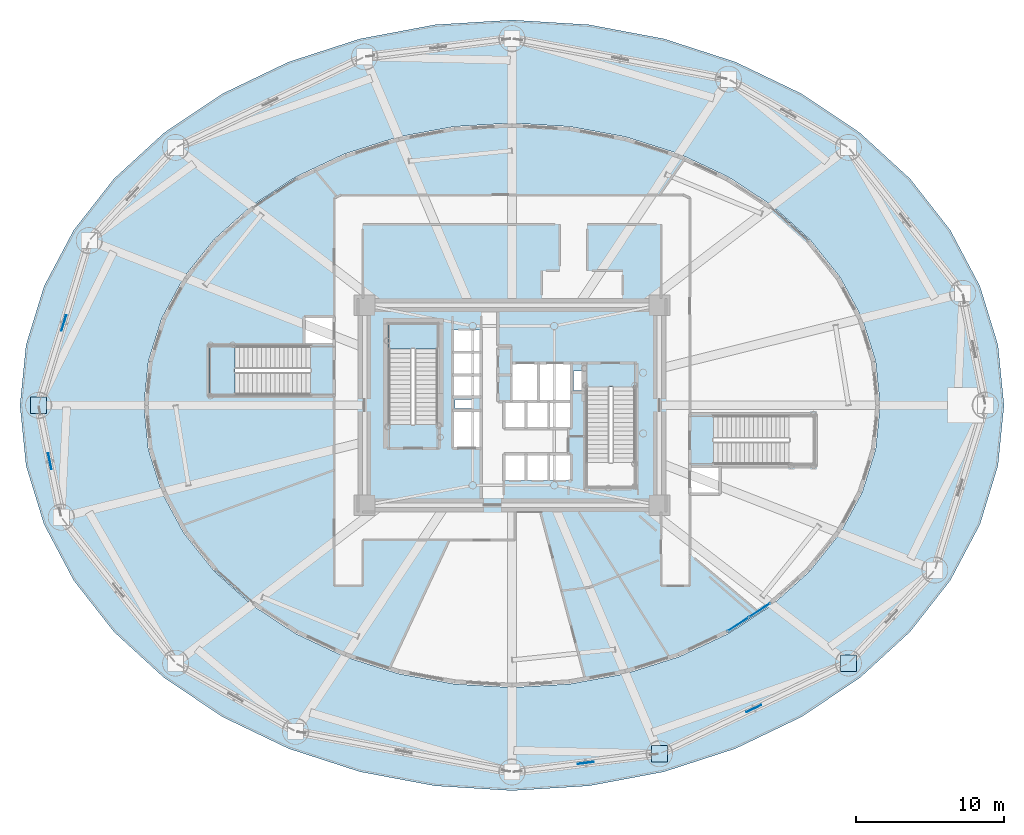
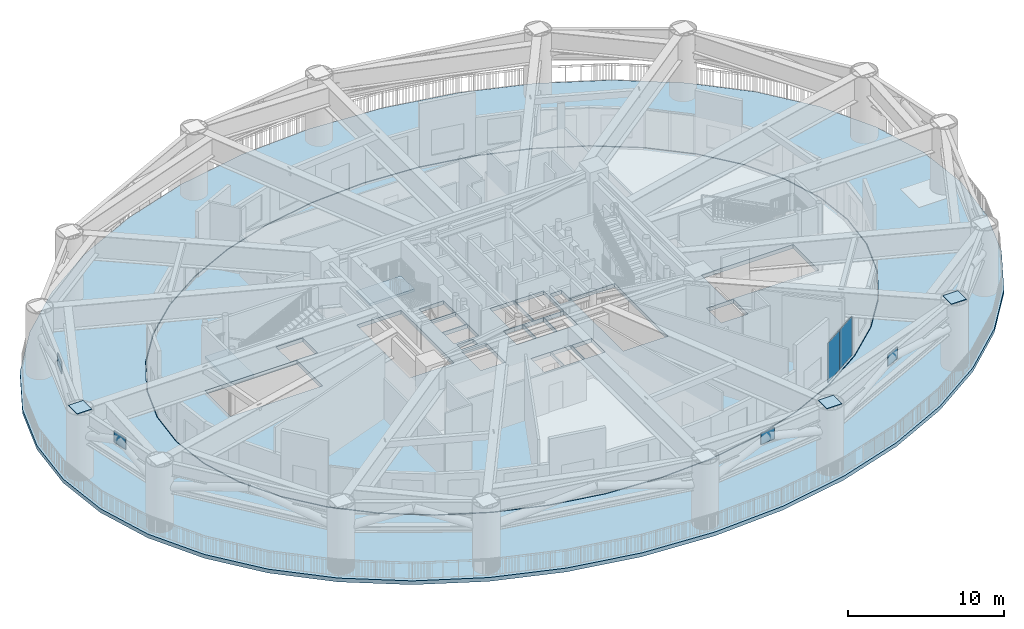
# One storey, part 16 of 39: 9 plates, 4 slabs, 3 elements without a shape of their own.
"""IFC4 building model written with IfcOpenShell, lengths in metres."""

from ifc_helpers import new_model, si_unit, direction, frame, origin, origin_2d, place, context, subcontext, project, spatial, polyline, rectangle, outline, extrude, source, transform, mapped, material, layer, layer_set, type_object, element, aggregate, save


model = new_model("IFC4")

# Units and contexts
model_context = context("Model", 3, precision=1e-05, world=origin(), true_north=direction((0.0, 1.0)))
body_context = subcontext(model_context, "Body", "Model", "MODEL_VIEW")
ifc_project = project(units=[si_unit("LENGTHUNIT", "METRE"), si_unit("AREAUNIT", "SQUARE_METRE"), si_unit("VOLUMEUNIT", "CUBIC_METRE"), si_unit("PLANEANGLEUNIT", "RADIAN"), si_unit("MASSUNIT", "GRAM", prefix="KILO")], contexts=[model_context])

# Site, building, storey
site_placement = place(None, origin())
site = spatial("IfcSite", under=ifc_project, at=site_placement, CompositionType="ELEMENT")
building_placement = place(site_placement, origin())
building = spatial("IfcBuilding", under=site, at=building_placement, Name="Linh Dai School and Residence Tower", CompositionType="ELEMENT")
storey_placement = place(building_placement, frame((0.0, 0.0, 27.0)))
storey = spatial("IfcBuildingStorey", under=building, at=storey_placement, Name="L06", CompositionType="ELEMENT", Elevation=27.0)

# Slabs
ifc_material_1 = material(Name="Concrete B45 (C35/45)", Category="concrete")
ifc_layer_1 = layer(ifc_material_1, 0.300048828125)
ifc_layer_set_1 = layer_set([ifc_layer_1], Name="Concrete B45 (C35/45)")
slab_type_1 = type_object("IfcSlabType", Name="SLB-DECK300", PredefinedType="FLOOR", material=ifc_layer_set_1)
slab_1_placement = place(storey_placement, frame((0.0, 0.0, -0.300048828125)))
element("IfcSlab", 1, at=slab_1_placement, inside=storey, type_object=slab_type_1, Name="L06 School Rooftop Play Deck Slab", PredefinedType="FLOOR", context=body_context, shape_type="SweptSolid", body=[
    extrude(outline(polyline([(69.199951171875, 27.0), (68.791259765625, 31.0673828125), (67.5751953125, 35.034423828125), (65.581298828125, 38.8037109375), (62.859375, 42.282470703125), (59.475830078125, 45.384765625), (55.514404296875, 48.034423828125), (51.072509765625, 50.166259765625), (46.25927734375, 51.7275390625), (41.193603515625, 52.679931640625), (36.0, 53.0), (30.806396484375, 52.679931640625), (25.74072265625, 51.7275390625), (20.927490234375, 50.166259765625), (16.485595703125, 48.034423828125), (12.524169921875, 45.384765625), (9.140625, 42.282470703125), (6.418701171875, 38.8037109375), (4.4248046875, 35.034423828125), (3.208740234375, 31.0673828125), (2.800048828125, 27.0), (3.208740234375, 22.9326171875), (4.4248046875, 18.965576171875), (6.418701171875, 15.1962890625), (9.140625, 11.717529296875), (12.524169921875, 8.615234375), (16.485595703125, 5.965576171875), (20.927490234375, 3.833740234375), (25.74072265625, 2.2724609375), (30.806396484375, 1.320068359375), (36.0, 1.0), (41.193603515625, 1.320068359375), (46.25927734375, 2.2724609375), (51.072509765625, 3.833740234375), (55.514404296875, 5.965576171875), (59.475830078125, 8.615234375), (62.859375, 11.717529296875), (65.581298828125, 15.1962890625), (67.5751953125, 18.965576171875), (68.791259765625, 22.9326171875), (69.199951171875, 27.0)]), holes=[polyline([(60.840087890625, 27.0), (60.5341796875, 29.978515625), (59.624267578125, 32.8837890625), (58.132568359375, 35.64404296875), (56.095947265625, 38.19140625), (53.564453125, 40.46337890625), (50.6005859375, 42.403564453125), (47.277099609375, 43.96484375), (43.676025390625, 45.108154296875), (39.8857421875, 45.8056640625), (36.0, 46.0400390625), (32.1142578125, 45.8056640625), (28.323974609375, 45.108154296875), (24.722900390625, 43.96484375), (21.3994140625, 42.403564453125), (18.435546875, 40.46337890625), (15.904052734375, 38.19140625), (13.867431640625, 35.64404296875), (12.375732421875, 32.8837890625), (11.4658203125, 29.978515625), (11.159912109375, 27.0), (11.4658203125, 24.021484375), (12.375732421875, 21.1162109375), (13.867431640625, 18.35595703125), (15.904052734375, 15.80859375), (18.435546875, 13.53662109375), (21.3994140625, 11.596435546875), (24.722900390625, 10.03515625), (28.323974609375, 8.891845703125), (32.1142578125, 8.1943359375), (36.0, 7.9599609375), (39.8857421875, 8.1943359375), (43.676025390625, 8.891845703125), (47.277099609375, 10.03515625), (50.6005859375, 11.596435546875), (53.564453125, 13.53662109375), (56.095947265625, 15.80859375), (58.132568359375, 18.35595703125), (59.624267578125, 21.1162109375), (60.5341796875, 24.021484375), (60.840087890625, 27.0)])]), origin(), (0.0, 0.0, 1.0), 0.300048828125),
])
ifc_layer_2 = layer(ifc_material_1, 0.300048828125)
ifc_layer_set_2 = layer_set([ifc_layer_2], Name="Concrete B45 (C35/45)")
slab_type_2 = type_object("IfcSlabType", Name="SLB-FLR300", PredefinedType="FLOOR", material=ifc_layer_set_2)
slab_2_placement = place(storey_placement, frame((0.0, 0.0, -0.300048828125)))
element("IfcSlab", 2, at=slab_2_placement, inside=storey, type_object=slab_type_2, Name="L06 School Pavilion Indoor Floor Slab", PredefinedType="FLOOR", context=body_context, shape_type="SweptSolid", body=[
    extrude(outline(polyline([(60.800048828125, 27.0), (60.49462890625, 29.97216796875), (59.586181640625, 32.871337890625), (58.096923828125, 35.625732421875), (56.063720703125, 38.16796875), (53.5361328125, 40.43505859375), (50.5771484375, 42.371337890625), (47.259033203125, 43.92919921875), (43.66357421875, 45.070068359375), (39.879638671875, 45.76611328125), (36.0, 46.0), (32.120361328125, 45.76611328125), (28.33642578125, 45.070068359375), (24.740966796875, 43.92919921875), (21.4228515625, 42.371337890625), (18.4638671875, 40.43505859375), (15.936279296875, 38.16796875), (13.903076171875, 35.625732421875), (12.413818359375, 32.871337890625), (11.50537109375, 29.97216796875), (11.199951171875, 27.0), (11.50537109375, 24.02783203125), (12.413818359375, 21.128662109375), (13.903076171875, 18.374267578125), (15.936279296875, 15.83203125), (18.4638671875, 13.56494140625), (21.4228515625, 11.628662109375), (24.740966796875, 10.07080078125), (28.33642578125, 8.929931640625), (32.120361328125, 8.23388671875), (36.0, 8.0), (39.879638671875, 8.23388671875), (43.66357421875, 8.929931640625), (47.259033203125, 10.07080078125), (50.5771484375, 11.628662109375), (53.5361328125, 13.56494140625), (56.063720703125, 15.83203125), (58.096923828125, 18.374267578125), (59.586181640625, 21.128662109375), (60.49462890625, 24.02783203125), (60.800048828125, 27.0)]), holes=[polyline([(30.97998046875, 25.699951171875), (30.97998046875, 32.5), (27.679931640625, 32.5), (27.679931640625, 25.699951171875), (30.97998046875, 25.699951171875)]), polyline([(41.02001953125, 28.25), (41.02001953125, 21.449951171875), (44.320068359375, 21.449951171875), (44.320068359375, 28.25), (41.02001953125, 28.25)]), polyline([(22.39990234375, 31.0), (15.60009765625, 31.0), (15.60009765625, 27.699951171875), (22.39990234375, 27.699951171875), (22.39990234375, 31.0)]), polyline([(49.60009765625, 23.0), (56.39990234375, 23.0), (56.39990234375, 26.300048828125), (49.60009765625, 26.300048828125), (49.60009765625, 23.0)]), polyline([(35.97998046875, 27.280029296875), (37.77001953125, 27.280029296875), (37.77001953125, 29.820068359375), (35.97998046875, 29.820068359375), (35.97998046875, 27.280029296875)]), polyline([(32.030029296875, 24.1298828125), (33.8701171875, 24.1298828125), (33.8701171875, 26.6201171875), (32.030029296875, 26.6201171875), (32.030029296875, 24.1298828125)]), polyline([(37.830078125, 27.280029296875), (39.969970703125, 27.280029296875), (39.969970703125, 29.820068359375), (37.830078125, 29.820068359375), (37.830078125, 27.280029296875)]), polyline([(35.47998046875, 21.929931640625), (36.929931640625, 21.929931640625), (36.929931640625, 23.669921875), (35.47998046875, 23.669921875), (35.47998046875, 21.929931640625)]), polyline([(36.989990234375, 21.929931640625), (38.449951171875, 21.929931640625), (38.449951171875, 23.669921875), (36.989990234375, 23.669921875), (36.989990234375, 21.929931640625)]), polyline([(38.510009765625, 21.929931640625), (39.969970703125, 21.929931640625), (39.969970703125, 23.669921875), (38.510009765625, 23.669921875), (38.510009765625, 21.929931640625)]), polyline([(32.030029296875, 27.580078125), (33.8701171875, 27.580078125), (33.8701171875, 29.030029296875), (32.030029296875, 29.030029296875), (32.030029296875, 27.580078125)]), polyline([(32.030029296875, 29.090087890625), (33.8701171875, 29.090087890625), (33.8701171875, 30.550048828125), (32.030029296875, 30.550048828125), (32.030029296875, 29.090087890625)]), polyline([(32.030029296875, 30.610107421875), (33.8701171875, 30.610107421875), (33.8701171875, 32.070068359375), (32.030029296875, 32.070068359375), (32.030029296875, 30.610107421875)]), polyline([(35.47998046875, 25.47998046875), (36.929931640625, 25.47998046875), (36.929931640625, 27.219970703125), (35.47998046875, 27.219970703125), (35.47998046875, 25.47998046875)]), polyline([(36.989990234375, 25.47998046875), (38.449951171875, 25.47998046875), (38.449951171875, 27.219970703125), (36.989990234375, 27.219970703125), (36.989990234375, 25.47998046875)]), polyline([(38.510009765625, 25.47998046875), (39.969970703125, 25.47998046875), (39.969970703125, 27.219970703125), (38.510009765625, 27.219970703125), (38.510009765625, 25.47998046875)]), polyline([(21.97998046875, 31.080078125), (23.969970703125, 31.080078125), (23.969970703125, 32.969970703125), (21.97998046875, 32.969970703125), (21.97998046875, 31.080078125)]), polyline([(48.030029296875, 21.030029296875), (50.02001953125, 21.030029296875), (50.02001953125, 22.919921875), (48.030029296875, 22.919921875), (48.030029296875, 21.030029296875)]), polyline([(40.14990234375, 28.0), (40.14990234375, 29.300048828125), (41.0, 29.300048828125), (41.0, 28.280029296875), (40.989990234375, 28.280029296875), (40.989990234375, 28.0), (40.14990234375, 28.0)]), polyline([(32.14990234375, 26.800048828125), (33.35009765625, 26.800048828125), (33.35009765625, 27.39990234375), (32.14990234375, 27.39990234375), (32.14990234375, 26.800048828125)])]), origin(), (0.0, 0.0, 1.0), 0.300048828125),
])

# Stair, slab
stair_type = type_object("IfcStairType", Name="ST-DOG-1550-R1500", PredefinedType="HALF_TURN_STAIR", material=ifc_material_1)
stair_1_placement = place(storey_placement, origin())
stair_1 = element("IfcStair", 3, at=stair_1_placement, inside=storey, type_object=stair_type, Name="L06 Core Smokeproof Exit Stair ST1", PredefinedType="HALF_TURN_STAIR")
ifc_layer_3 = layer(ifc_material_1, 0.199951171875)
ifc_layer_set_3 = layer_set([ifc_layer_3], Name="Concrete B45 (C35/45)")
slab_type_3 = type_object("IfcSlabType", Name="SLB-ST-LANDING-200", PredefinedType="LANDING", material=ifc_layer_set_3)
slab_3_placement = place(storey_placement, frame((0.0, 0.0, 2.5)))
slab_3 = element("IfcSlab", 4, at=slab_3_placement, type_object=slab_type_3, Name="ST1 landing 1", PredefinedType="LANDING", context=body_context, shape_type="SweptSolid", body=[
    extrude(outline(polyline([(30.97998046875, 30.800048828125), (30.97998046875, 32.5), (27.679931640625, 32.5), (27.679931640625, 30.800048828125), (30.97998046875, 30.800048828125)])), origin(), (0.0, 0.0, 1.0), 0.199951171875),
])
aggregate(stair_1, [slab_3])

stair_2_placement = place(storey_placement, origin())
stair_2 = element("IfcStair", 5, at=stair_2_placement, inside=storey, type_object=stair_type, Name="L06 School Exit Stair STS1", PredefinedType="HALF_TURN_STAIR")
slab_4_placement = place(storey_placement, frame((0.0, 0.0, 2.5)))
slab_4 = element("IfcSlab", 6, at=slab_4_placement, type_object=slab_type_3, Name="STS1 landing 1", PredefinedType="LANDING", context=body_context, shape_type="SweptSolid", body=[
    extrude(outline(polyline([(17.300048828125, 31.0), (15.60009765625, 31.0), (15.60009765625, 27.699951171875), (17.300048828125, 27.699951171875), (17.300048828125, 31.0)])), origin(), (0.0, 0.0, 1.0), 0.199951171875),
])
aggregate(stair_2, [slab_4])

# Plates
ifc_material_2 = material(Name="Structural Steel S355JR", Category="steel")
ifc_layer_4 = layer(ifc_material_2, 0.0400390625)
ifc_layer_set_4 = layer_set([ifc_layer_4], Name="Structural Steel S355JR")
plate_type_1 = type_object("IfcPlateType", Name="PLT-GP1", PredefinedType="USERDEFINED", material=ifc_layer_set_4)
shared_shape_1 = source(origin(), body_context, "Body", "SweptSolid", [
    extrude(rectangle(XDim=1.10009765625, YDim=1.10009765625, at=origin_2d()), origin(), (0.0, 0.0, 1.0), 0.0400390625),
])
for number, where, z_axis, x_axis, name in (
    (7, (4.050048828125, 27.0, 5.14990234375), (0.0, 0.0, 1.0), (1.0, 0.0, 0.0), "L06 MC09 Column Cap Plate"),
    (8, (45.951171875, 3.48388671875, 5.14990234375), (0.0, 0.0, 1.0), (1.0, 0.0, 0.0), "L06 MC14 Column Cap Plate"),
    (9, (58.705322265625, 9.599365234375, 5.14990234375), (0.0, 0.0, 1.0), (1.0, 0.0, 0.0), "L06 MC15 Column Cap Plate"),
):
    element("IfcPlate", number, at=place(storey_placement, frame(where, z_axis=z_axis, x_axis=x_axis)), inside=storey, type_object=plate_type_1, Name=name, ObjectType="GUSSET PLATE", PredefinedType="USERDEFINED", context=body_context, shape_type="MappedRepresentation", body=[
        mapped(shared_shape_1, transform((0.0, 0.0, 0.0), x_axis=(1.0, 0.0, 0.0), y_axis=(0.0, 1.0, 0.0), z_axis=(0.0, 0.0, 1.0), scale=1.0)),
    ])
shared_shape_2 = source(origin(), body_context, "Body", "SweptSolid", [
    extrude(rectangle(XDim=1.10009765625, YDim=0.0400390625, at=origin_2d()), origin(), (0.0, 0.0, 1.0), 0.89990234375),
])
for number, where, z_axis, x_axis, name in (
    (10, (5.758056640625, 32.56103515625, 4.199951171875), (0.0, 0.0, 1.0), (-0.293627886797, -0.955919800033, 0.0), "L06 Belt Truss BT1 Node Gusset Plate 08"),
    (11, (4.814697265625, 23.222412109375, 4.199951171875), (0.0, 0.0, 1.0), (0.198412111619, -0.980118683611, 0.0), "L06 Belt Truss BT1 Node Gusset Plate 09"),
    (12, (40.9755859375, 2.866943359375, 4.199951171875), (0.0, 0.0, 1.0), (0.992399666572, 0.123056498355, 0.0), "L06 Belt Truss BT1 Node Gusset Plate 13"),
    (13, (52.328125, 6.541748046875, 4.199951171875), (0.0, 0.0, 1.0), (0.901703676692, 0.43235457606, 0.0), "L06 Belt Truss BT1 Node Gusset Plate 14"),
):
    element("IfcPlate", number, at=place(storey_placement, frame(where, z_axis=z_axis, x_axis=x_axis)), inside=storey, type_object=plate_type_1, Name=name, ObjectType="GUSSET PLATE", PredefinedType="USERDEFINED", context=body_context, shape_type="MappedRepresentation", body=[
        mapped(shared_shape_2, transform((0.0, 0.0, 0.0), x_axis=(1.0, 0.0, 0.0), y_axis=(0.0, 1.0, 0.0), z_axis=(0.0, 0.0, 1.0), scale=1.0)),
    ])

# Curtain wall, plates
ifc_material_3 = material(Name="Aluminium Anodised Curtain Wall", Category="aluminium")
ifc_layer_5 = layer(ifc_material_3, 0.169921875)
ifc_layer_set_5 = layer_set([ifc_layer_5], Name="Aluminium Anodised Curtain Wall")
curtain_wall_type = type_object("IfcCurtainWallType", Name="CW-SYS-2", PredefinedType="USERDEFINED", material=ifc_layer_set_5)
curtain_wall_placement = place(storey_placement, origin())
curtain_wall = element("IfcCurtainWall", 14, at=curtain_wall_placement, inside=storey, type_object=curtain_wall_type, Name="L06 CW2 Curtain Wall 35", ObjectType="UNITISED CURTAIN WALL", PredefinedType="USERDEFINED")
ifc_material_4 = material(Name="Double Low-E Insulated Glazing", Category="glass")
ifc_layer_6 = layer(ifc_material_4, 0.030029296875)
ifc_layer_set_6 = layer_set([ifc_layer_6], Name="Double Low-E Insulated Glazing")
plate_type_2 = type_object("IfcPlateType", Name="CW-SYS-2-PAN", PredefinedType="CURTAIN_PANEL", material=ifc_layer_set_6)
shared_shape_3 = source(origin(), body_context, "Body", "SweptSolid", [
    extrude(rectangle(XDim=1.669189453125, YDim=0.030029296875, at=origin_2d()), origin(), (0.0, 0.0, 1.0), 3.06494140625),
])
plate_1_placement = place(storey_placement, frame((52.711669921875, 13.17431640625, 0.06005859375), z_axis=(0.0, 0.0, 1.0), x_axis=(-0.836786048523, -0.547530007395, 0.0)))
plate_1 = element("IfcPlate", 15, at=plate_1_placement, type_object=plate_type_2, Name="CW2 panel 1.1", PredefinedType="CURTAIN_PANEL", context=body_context, shape_type="MappedRepresentation", body=[
    mapped(shared_shape_3, transform((0.0, 0.0, 0.0), x_axis=(1.0, 0.0, 0.0), y_axis=(0.0, 1.0, 0.0), z_axis=(0.0, 0.0, 1.0), scale=1.0)),
])
plate_2_placement = place(storey_placement, frame((51.264892578125, 12.227783203125, 0.06005859375), z_axis=(0.0, 0.0, 1.0), x_axis=(-0.836786048523, -0.547530007395, 0.0)))
plate_2 = element("IfcPlate", 16, at=plate_2_placement, type_object=plate_type_2, Name="CW2 panel 2.1", PredefinedType="CURTAIN_PANEL", context=body_context, shape_type="MappedRepresentation", body=[
    mapped(shared_shape_3, transform((0.0, 0.0, 0.0), x_axis=(1.0, 0.0, 0.0), y_axis=(0.0, 1.0, 0.0), z_axis=(0.0, 0.0, 1.0), scale=1.0)),
])
aggregate(curtain_wall, [plate_1, plate_2])

save(model, "model.ifc")
